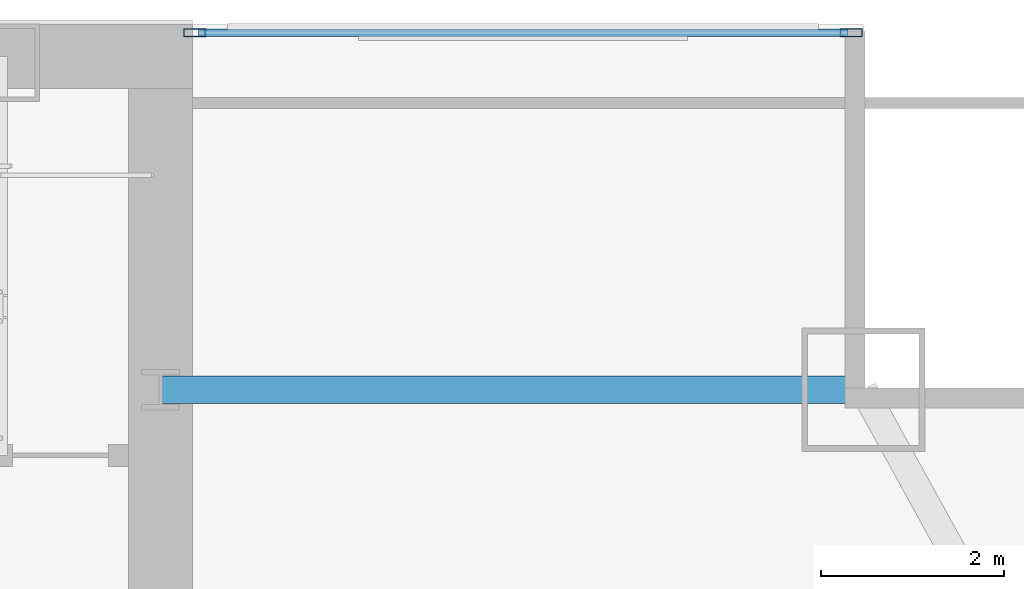
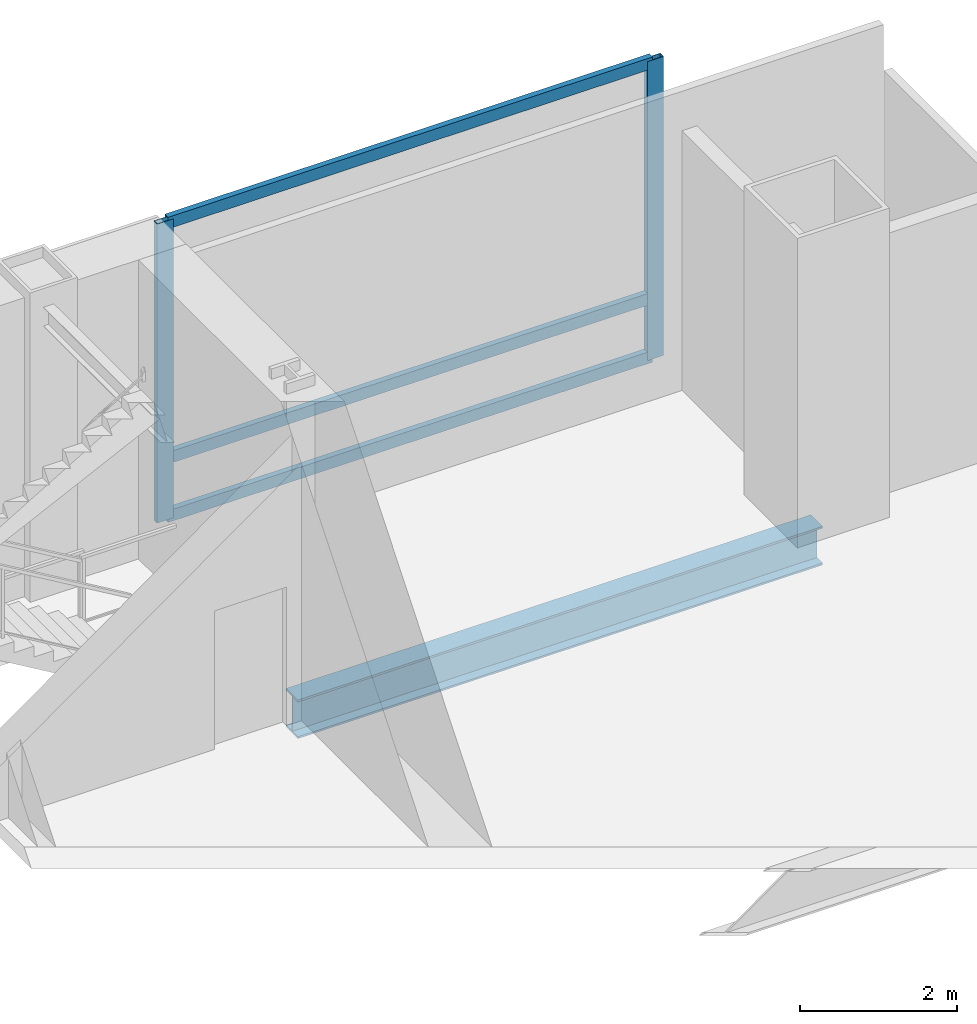
# One storey, part 20 of 30: 5 members, 1 beam, 1 element without a shape of its own.
"""IFC4 building model written with IfcOpenShell, lengths in metres."""

from ifc_helpers import new_model, si_unit, direction, frame, origin, origin_2d, place, context, subcontext, project, spatial, hollow_rectangle, i_section, extrude, material, material_profile, profile_set, type_object, element, aggregate, save


model = new_model("IFC4")

# Units and contexts
model_context = context("Model", 3, precision=1e-05, world=origin(), true_north=direction((0.0, 1.0)))
body_context = subcontext(model_context, "Body", "Model", "MODEL_VIEW")
ifc_project = project(units=[si_unit("LENGTHUNIT", "METRE"), si_unit("AREAUNIT", "SQUARE_METRE"), si_unit("VOLUMEUNIT", "CUBIC_METRE"), si_unit("PLANEANGLEUNIT", "RADIAN"), si_unit("MASSUNIT", "GRAM", prefix="KILO")], contexts=[model_context])

# Site, building, storey
site_placement = place(None, origin())
site = spatial("IfcSite", under=ifc_project, at=site_placement, CompositionType="ELEMENT")
building_placement = place(site_placement, origin())
building = spatial("IfcBuilding", under=site, at=building_placement, Name="Khoronbel Lancet Exchange", CompositionType="ELEMENT")
storey_placement = place(building_placement, frame((0.0, 0.0, 172.199951171875)))
storey = spatial("IfcBuildingStorey", under=building, at=storey_placement, Name="L43", CompositionType="ELEMENT", Elevation=172.199951171875)

# Beam
ifc_material_1 = material(Name="Steel S355", Category="steel")
ifc_material_profile_1 = material_profile(ifc_material_1, i_section(OverallWidth=0.300048828125, OverallDepth=0.60009765625, WebThickness=0.015380859375, FlangeThickness=0.030029296875, at=origin_2d()), Name="HEB 600")
ifc_profile_set_1 = profile_set([ifc_material_profile_1], Name="Steel S355")
beam_type = type_object("IfcBeamType", Name="BM-BSP2", PredefinedType="SPANDREL", material=ifc_profile_set_1)
beam_placement = place(storey_placement, frame((64.050048828125, 49.699951171875, -0.52001953125), z_axis=(-1.0, 0.0, 0.0), x_axis=(0.0, -1.0, 0.0)))
element("IfcBeam", 1, at=beam_placement, inside=storey, type_object=beam_type, Name="Level L43 north flank tie spandrel SP23", PredefinedType="SPANDREL", context=body_context, shape_type="SweptSolid", body=[
    extrude(i_section(OverallWidth=0.300048828125, OverallDepth=0.60009765625, WebThickness=0.015380859375, FlangeThickness=0.030029296875, at=origin_2d()), origin(), (0.0, 0.0, 1.0), 7.699951171875),
])

# Curtain wall, members
ifc_material_2 = material(Name="Low-E Solar Control Insulating Glass", Category="glass")
curtain_wall_type = type_object("IfcCurtainWallType", Name="CW-3", PredefinedType="NOTDEFINED", material=ifc_material_2)
curtain_wall_placement = place(storey_placement, origin())
curtain_wall = element("IfcCurtainWall", 2, at=curtain_wall_placement, inside=storey, type_object=curtain_wall_type, Name="Unitised curtain wall CW-L43-NEFLK", PredefinedType="NOTDEFINED")
ifc_material_3 = material(Name="Bronze-Anodised Aluminium 6063-T6", Category="aluminium")
ifc_material_profile_2 = material_profile(ifc_material_3, hollow_rectangle(XDim=0.0849609375, YDim=0.239990234375, WallThickness=0.006103515625, at=origin_2d()), Name="ALU MULLION 85x240")
ifc_profile_set_2 = profile_set([ifc_material_profile_2], Name="Bronze-Anodised Aluminium 6063-T6")
member_type_1 = type_object("IfcMemberType", Name="MEM-CWM1", PredefinedType="MULLION", material=ifc_profile_set_2)
member_1_placement = place(storey_placement, frame((63.91748046875, 53.610107421875, 0.0), z_axis=(0.0, 0.0, 1.0), x_axis=(0.0, -1.0, 0.0)))
member_1 = element("IfcMember", 3, at=member_1_placement, type_object=member_type_1, Name="CW3 mullion 1", PredefinedType="MULLION", context=body_context, shape_type="SweptSolid", body=[
    extrude(hollow_rectangle(XDim=0.0849609375, YDim=0.239990234375, WallThickness=0.006103515625, at=origin_2d()), origin(), (0.0, 0.0, 1.0), 4.64013671875),
])
member_2_placement = place(storey_placement, frame((56.722412109375, 53.610107421875, 0.0), z_axis=(0.0, 0.0, 1.0), x_axis=(0.0, -1.0, 0.0)))
member_2 = element("IfcMember", 4, at=member_2_placement, type_object=member_type_1, Name="CW3 mullion 2", PredefinedType="MULLION", context=body_context, shape_type="SweptSolid", body=[
    extrude(hollow_rectangle(XDim=0.0849609375, YDim=0.239990234375, WallThickness=0.006103515625, at=origin_2d()), origin(), (0.0, 0.0, 1.0), 4.64013671875),
])
ifc_material_profile_3 = material_profile(ifc_material_3, hollow_rectangle(XDim=0.0849609375, YDim=0.179931640625, WallThickness=0.0048828125, at=origin_2d()), Name="ALU TRANSOM 85x180")
ifc_profile_set_3 = profile_set([ifc_material_profile_3], Name="Bronze-Anodised Aluminium 6063-T6")
member_type_2 = type_object("IfcMemberType", Name="MEM-CWT1", PredefinedType="USERDEFINED", material=ifc_profile_set_3)
member_3_placement = place(storey_placement, frame((63.875, 53.610107421875, 0.04248046875), z_axis=(-1.0, 0.0, 0.0), x_axis=(0.0, -1.0, 0.0)))
member_3 = element("IfcMember", 5, at=member_3_placement, type_object=member_type_2, Name="CW3 transom 1.1", ObjectType="TRANSOM", PredefinedType="USERDEFINED", context=body_context, shape_type="SweptSolid", body=[
    extrude(hollow_rectangle(XDim=0.0849609375, YDim=0.179931640625, WallThickness=0.0048828125, at=origin_2d()), origin(), (0.0, 0.0, 1.0), 7.110107421875),
])
member_4_placement = place(storey_placement, frame((63.875, 53.610107421875, 0.949951171875), z_axis=(-1.0, 0.0, 0.0), x_axis=(0.0, -1.0, 0.0)))
member_4 = element("IfcMember", 6, at=member_4_placement, type_object=member_type_2, Name="CW3 transom 1.2", ObjectType="TRANSOM", PredefinedType="USERDEFINED", context=body_context, shape_type="SweptSolid", body=[
    extrude(hollow_rectangle(XDim=0.0849609375, YDim=0.179931640625, WallThickness=0.0048828125, at=origin_2d()), origin(), (0.0, 0.0, 1.0), 7.110107421875),
])
member_5_placement = place(storey_placement, frame((63.875, 53.610107421875, 4.59765625), z_axis=(-1.0, 0.0, 0.0), x_axis=(0.0, -1.0, 0.0)))
member_5 = element("IfcMember", 7, at=member_5_placement, type_object=member_type_2, Name="CW3 transom 1.3", ObjectType="TRANSOM", PredefinedType="USERDEFINED", context=body_context, shape_type="SweptSolid", body=[
    extrude(hollow_rectangle(XDim=0.0849609375, YDim=0.179931640625, WallThickness=0.0048828125, at=origin_2d()), origin(), (0.0, 0.0, 1.0), 7.110107421875),
])
aggregate(curtain_wall, [member_1, member_2, member_3, member_4, member_5])

save(model, "model.ifc")
